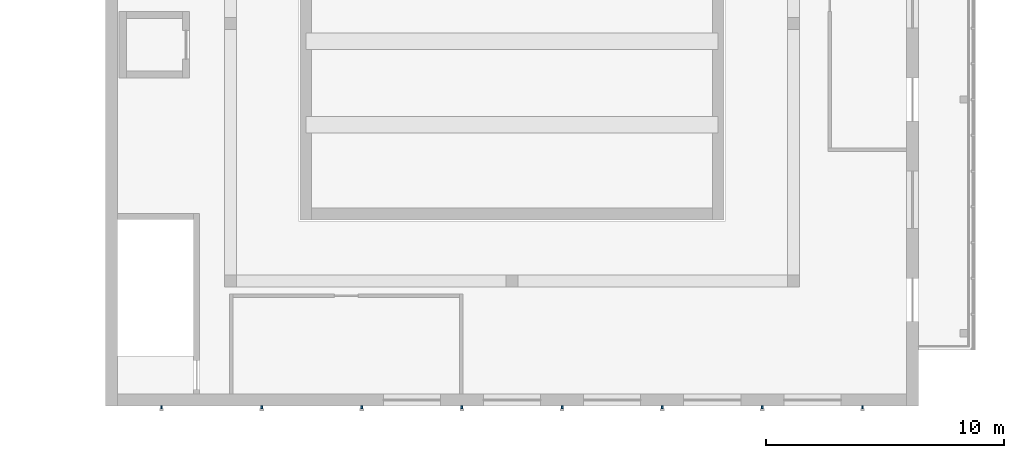
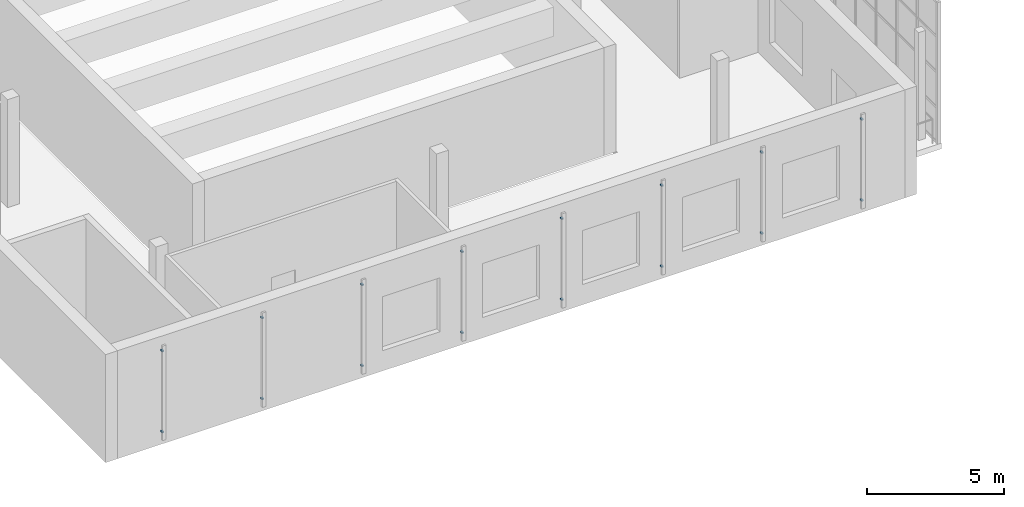
# One storey, part 83 of 116: 16 discrete accessories.
"""IFC4 building model written with IfcOpenShell, lengths in metres."""

import ifcopenshell
import ifcopenshell.guid

model = None  # the IFC model being written
_history = None  # IfcOwnerHistory: only IFC2X3 demands one
_inside = {}  # id of a spatial element -> (the spatial element, [elements in it])
_under = {}  # id of a project, library or spatial element -> (it, [spatial elements below it])
_declared = {}  # id of a project -> (the project, [libraries it declares])
_typed = {}  # id of a type object -> (the type object, [elements of that type])
_made_of = {}  # id of a material, layer set ... -> (it, [elements and type objects made of it])


def new_model(schema):
    """Start an empty IFC model of exactly this schema.

    Asked for "IFC4X3", IfcOpenShell would pick the latest addendum, in which some entities
    have other attributes; the version numbers below select the first issue.
    IFC2X3 requires an IfcOwnerHistory on every rooted entity: one is made here for all.
    """
    global model, _history
    if schema == "IFC4X3":
        model = ifcopenshell.file(schema_version=(4, 3, 0, 0))
    else:
        model = ifcopenshell.file(schema=schema)
    _inside.clear()
    _under.clear()
    _declared.clear()
    _typed.clear()
    _made_of.clear()
    _history = None
    if model.schema == "IFC2X3":
        org = make("IfcOrganization", Name="unknown")
        user = make(
            "IfcPersonAndOrganization",
            ThePerson=make("IfcPerson", FamilyName="unknown"),
            TheOrganization=org,
        )
        app = make(
            "IfcApplication",
            ApplicationDeveloper=org,
            Version="unknown",
            ApplicationFullName="unknown",
            ApplicationIdentifier="unknown",
        )
        _history = make(
            "IfcOwnerHistory",
            OwningUser=user,
            OwningApplication=app,
            ChangeAction="ADDED",
            CreationDate=0,
        )
    return model


def make(cls, **values):
    """One entity of the class cls with the attributes given. An attribute that is None is left unset."""
    return model.create_entity(
        cls, **{name: value for name, value in values.items() if value is not None}
    )


def rooted(cls, **values):
    """An entity with a GlobalId (a new one), such as an element, a storey or a relation."""
    return make(cls, GlobalId=ifcopenshell.guid.new(), OwnerHistory=_history, **values)


def si_unit(unit_type, name, prefix=None):
    """IfcSIUnit, for example si_unit("LENGTHUNIT", "METRE", prefix="MILLI")."""
    return make("IfcSIUnit", UnitType=unit_type, Prefix=prefix, Name=name)


def assignment(units):
    """IfcUnitAssignment: the units of a project."""
    return None if units is None else make("IfcUnitAssignment", Units=units)


def point(xyz):
    """IfcCartesianPoint."""
    return None if xyz is None else make("IfcCartesianPoint", Coordinates=xyz)


def direction(xyz):
    """IfcDirection."""
    return None if xyz is None else make("IfcDirection", DirectionRatios=xyz)


def frame(location, z_axis=None, x_axis=None):
    """IfcAxis2Placement3D, a coordinate frame: its origin and axes. An axis left out is left unset."""
    return make(
        "IfcAxis2Placement3D",
        Location=point(location),
        Axis=direction(z_axis),
        RefDirection=direction(x_axis),
    )


def frame_2d(location, x_axis=None):
    """IfcAxis2Placement2D, a coordinate frame in the plane: its origin and x axis."""
    return make(
        "IfcAxis2Placement2D", Location=point(location), RefDirection=direction(x_axis)
    )


def origin():
    """The frame at (0, 0, 0) with its axes left unset."""
    return frame((0.0, 0.0, 0.0))


def origin_2d():
    """The frame at (0, 0) in the plane with its x axis left unset."""
    return frame_2d((0.0, 0.0))


def place(relative_to, where):
    """IfcLocalPlacement: puts the frame where relative to a parent placement (None: the world)."""
    return make(
        "IfcLocalPlacement", PlacementRelTo=relative_to, RelativePlacement=where
    )


def context(
    kind, dimensions, precision=None, world=None, true_north=None, identifier=None
):
    """IfcGeometricRepresentationContext, for example the 3D "Model" context."""
    return make(
        "IfcGeometricRepresentationContext",
        ContextIdentifier=identifier,
        ContextType=kind,
        CoordinateSpaceDimension=dimensions,
        Precision=precision,
        WorldCoordinateSystem=world,
        TrueNorth=true_north,
    )


def subcontext(parent, identifier, kind, view, scale=None):
    """IfcGeometricRepresentationSubContext, for example "Body" below "Model"."""
    return make(
        "IfcGeometricRepresentationSubContext",
        ContextIdentifier=identifier,
        ContextType=kind,
        ParentContext=parent,
        TargetScale=scale,
        TargetView=view,
    )


def project(units=None, contexts=None):
    """IfcProject with its units and contexts."""
    return rooted(
        "IfcProject",
        Name="project",
        RepresentationContexts=contexts,
        UnitsInContext=assignment(units),
    )


def spatial(cls, under=None, at=None, **own):
    """A site, building, storey or space (cls), placed at a placement, below another one or the project."""
    s = rooted(cls, ObjectPlacement=at, **own)
    if under is not None:
        _under.setdefault(under.id(), (under, []))[1].append(s)
    return s


def profile(cls, at=None, kind="AREA", **sizes):
    """A parametric profile (cls). Its sizes go by their IFC names, for example OverallWidth=200.0."""
    return make(cls, ProfileType=kind, Position=at, **sizes)


def rectangle(**sizes):
    """IfcRectangleProfileDef."""
    return profile("IfcRectangleProfileDef", **sizes)


def extrude(swept, where, along, depth):
    """IfcExtrudedAreaSolid: the profile swept, set in the frame where, extruded along a direction by depth."""
    return make(
        "IfcExtrudedAreaSolid",
        SweptArea=swept,
        Position=where,
        ExtrudedDirection=direction(along),
        Depth=depth,
    )


def shape(context_of_items, identifier, shape_type, items):
    """IfcShapeRepresentation: the items that make up one representation, for example the "Body"."""
    return make(
        "IfcShapeRepresentation",
        ContextOfItems=context_of_items,
        RepresentationIdentifier=identifier,
        RepresentationType=shape_type,
        Items=items,
    )


def material(Name=None, Category=None):
    """IfcMaterial."""
    return make("IfcMaterial", Name=Name, Category=Category)


def made_of(thing, what):
    """Note that an element or type object is made of a material, layer set ...; save() writes the relation."""
    if what is not None:
        _made_of.setdefault(what.id(), (what, []))[1].append(thing)
    return thing


def type_object(cls, material=None, **own):
    """A type object (cls), such as IfcWallType, which elements share."""
    return made_of(rooted(cls, **own), material)


def element(
    cls,
    number,
    at=None,
    inside=None,
    cuts=None,
    type_object=None,
    material=None,
    context=None,
    identifier="Body",
    shape_type=None,
    held_by="IfcProductDefinitionShape",
    body=None,
    shapes=None,
    **own,
):
    """One element of the class cls, such as IfcWall. Its Tag is "e" and its number.

    at: its placement. inside: the storey or other place that contains it. cuts: it is an
    opening in that element (IfcRelVoidsElement). A single representation is given by context,
    identifier, shape_type and body (its items); several are given by shapes. held_by: the class
    of the entity that holds the representations. save() writes the other relations.
    """
    e = rooted(cls, Tag="e%d" % number, ObjectPlacement=at, **own)
    if body is not None:
        shapes = [shape(context, identifier, shape_type, body)]
    if shapes is not None:
        e.Representation = make(held_by, Representations=shapes)
    if inside is not None:
        _inside.setdefault(inside.id(), (inside, []))[1].append(e)
    if cuts is not None:
        rooted(
            "IfcRelVoidsElement", RelatingBuildingElement=cuts, RelatedOpeningElement=e
        )
    if type_object is not None:
        _typed.setdefault(type_object.id(), (type_object, []))[1].append(e)
    return made_of(e, material)


def aggregate(whole, parts):
    """IfcRelAggregates: a whole, such as a stair, and the parts it consists of."""
    return rooted("IfcRelAggregates", RelatingObject=whole, RelatedObjects=parts)


def save(model, path):
    """Write the relations noted so far, then the file.

    IfcRelAggregates (storeys below a building ...), IfcRelContainedInSpatialStructure (elements
    in a storey), IfcRelDefinesByType, IfcRelAssociatesMaterial and IfcRelDeclares: one each for
    every whole, place, type object, material and project.
    """
    for whole, parts in _under.values():
        aggregate(whole, parts)
    for where, things in _inside.values():
        rooted(
            "IfcRelContainedInSpatialStructure",
            RelatedElements=things,
            RelatingStructure=where,
        )
    for kind, things in _typed.values():
        rooted("IfcRelDefinesByType", RelatedObjects=things, RelatingType=kind)
    for what, things in _made_of.values():
        rooted("IfcRelAssociatesMaterial", RelatedObjects=things, RelatingMaterial=what)
    for by, libraries in _declared.values():
        rooted("IfcRelDeclares", RelatingContext=by, RelatedDefinitions=libraries)
    model.write(path)


model = new_model("IFC4")

# Units and contexts
model_context = context("Model", 3, precision=1e-05, world=origin(), true_north=direction((0.0, 1.0)))
body_context = subcontext(model_context, "Body", "Model", "MODEL_VIEW")
ifc_project = project(units=[si_unit("LENGTHUNIT", "METRE"), si_unit("AREAUNIT", "SQUARE_METRE"), si_unit("VOLUMEUNIT", "CUBIC_METRE"), si_unit("PLANEANGLEUNIT", "RADIAN"), si_unit("MASSUNIT", "GRAM", prefix="KILO")], contexts=[model_context])

# Site, building, storey
site_placement = place(None, origin())
site = spatial("IfcSite", under=ifc_project, at=site_placement, CompositionType="ELEMENT")
building_placement = place(site_placement, origin())
building = spatial("IfcBuilding", under=site, at=building_placement, Name="Ljudholm Concert House", CompositionType="ELEMENT")
storey_placement = place(building_placement, frame((0.0, 0.0, 10.199951171875)))
storey = spatial("IfcBuildingStorey", under=building, at=storey_placement, Name="L02", CompositionType="ELEMENT", Elevation=10.199951171875)

# Discrete accessories
ifc_material = material(Name="Stainless steel bracket", Category="steel")
discrete_accessory_type = type_object("IfcDiscreteAccessoryType", Name="BRACKET 120", PredefinedType="BRACKET", material=ifc_material)
for number, where, z_axis, x_axis, name in (
    (1, (14.5, 3.68994140625, 0.570068359375), (0.0, 0.0, 1.0), (0.0, -1.0, 0.0), "Fin bracket"),
    (2, (14.5, 3.68994140625, 4.169921875), (0.0, 0.0, 1.0), (0.0, -1.0, 0.0), "Fin bracket"),
    (3, (18.699951171875, 3.68994140625, 0.570068359375), (0.0, 0.0, 1.0), (0.0, -1.0, 0.0), "Fin bracket"),
    (4, (18.699951171875, 3.68994140625, 4.169921875), (0.0, 0.0, 1.0), (0.0, -1.0, 0.0), "Fin bracket"),
    (5, (22.89990234375, 3.68994140625, 0.570068359375), (0.0, 0.0, 1.0), (0.0, -1.0, 0.0), "Fin bracket"),
    (6, (22.89990234375, 3.68994140625, 4.169921875), (0.0, 0.0, 1.0), (0.0, -1.0, 0.0), "Fin bracket"),
    (7, (27.10009765625, 3.68994140625, 0.570068359375), (0.0, 0.0, 1.0), (0.0, -1.0, 0.0), "Fin bracket"),
    (8, (27.10009765625, 3.68994140625, 4.169921875), (0.0, 0.0, 1.0), (0.0, -1.0, 0.0), "Fin bracket"),
    (9, (31.300048828125, 3.68994140625, 0.570068359375), (0.0, 0.0, 1.0), (0.0, -1.0, 0.0), "Fin bracket"),
    (10, (31.300048828125, 3.68994140625, 4.169921875), (0.0, 0.0, 1.0), (0.0, -1.0, 0.0), "Fin bracket"),
    (11, (35.5, 3.68994140625, 0.570068359375), (0.0, 0.0, 1.0), (0.0, -1.0, 0.0), "Fin bracket"),
    (12, (35.5, 3.68994140625, 4.169921875), (0.0, 0.0, 1.0), (0.0, -1.0, 0.0), "Fin bracket"),
    (13, (39.699951171875, 3.68994140625, 0.570068359375), (0.0, 0.0, 1.0), (0.0, -1.0, 0.0), "Fin bracket"),
    (14, (39.699951171875, 3.68994140625, 4.169921875), (0.0, 0.0, 1.0), (0.0, -1.0, 0.0), "Fin bracket"),
    (15, (43.89990234375, 3.68994140625, 0.570068359375), (0.0, 0.0, 1.0), (0.0, -1.0, 0.0), "Fin bracket"),
    (16, (43.89990234375, 3.68994140625, 4.169921875), (0.0, 0.0, 1.0), (0.0, -1.0, 0.0), "Fin bracket"),
):
    element("IfcDiscreteAccessory", number, at=place(storey_placement, frame(where, z_axis=z_axis, x_axis=x_axis)), inside=storey, type_object=discrete_accessory_type, Name=name, PredefinedType="BRACKET", context=body_context, shape_type="SweptSolid", body=[
        extrude(rectangle(XDim=0.1201171875, YDim=0.080078125, at=origin_2d()), origin(), (0.0, 0.0, 1.0), 0.06005859375),
    ])

save(model, "model.ifc")
